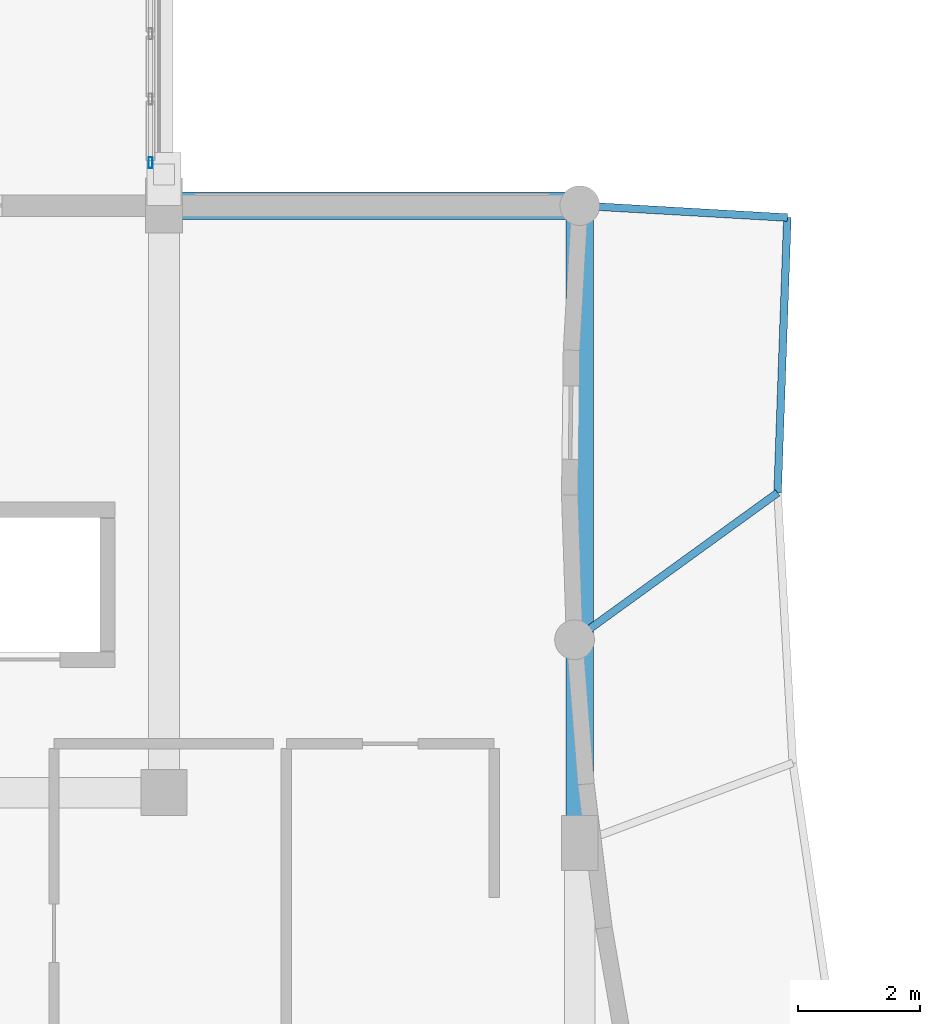
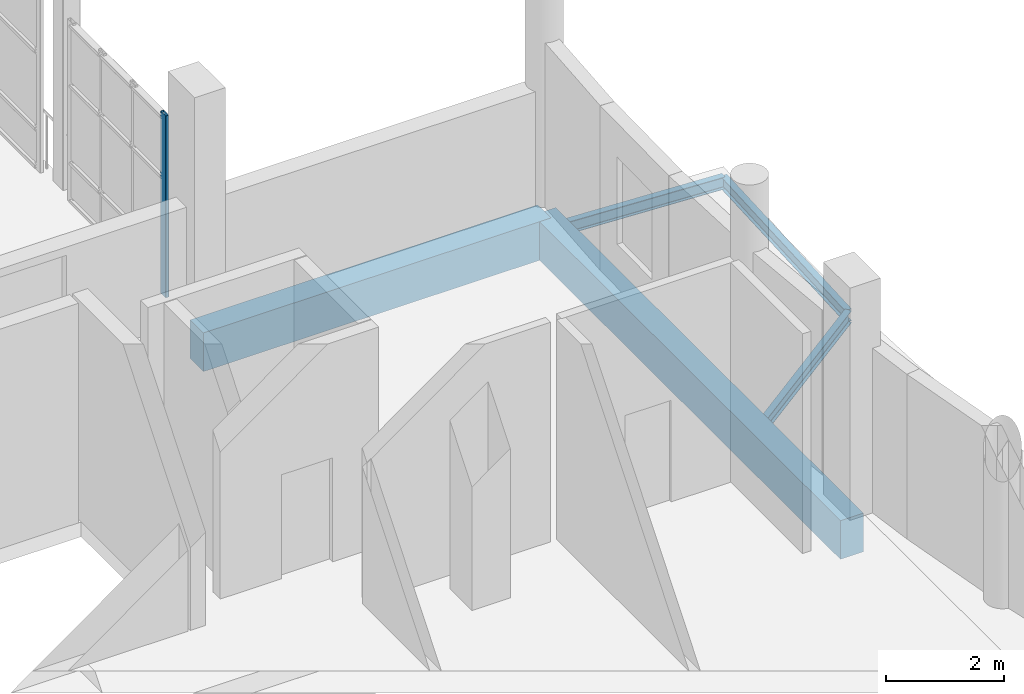
# One storey, part 16 of 106: 5 beams, 1 member, 1 element without a shape of its own.
"""IFC4 building model written with IfcOpenShell, lengths in metres."""

from ifc_helpers import new_model, si_unit, direction, frame, origin, origin_2d, place, context, subcontext, project, spatial, rectangle, hollow_rectangle, i_section, extrude, material, layer, layer_set, material_profile, profile_set, type_object, element, aggregate, save


model = new_model("IFC4")

# Units and contexts
model_context = context("Model", 3, precision=1e-05, world=origin(), true_north=direction((0.0, 1.0)))
body_context = subcontext(model_context, "Body", "Model", "MODEL_VIEW")
ifc_project = project(units=[si_unit("LENGTHUNIT", "METRE"), si_unit("AREAUNIT", "SQUARE_METRE"), si_unit("VOLUMEUNIT", "CUBIC_METRE"), si_unit("PLANEANGLEUNIT", "RADIAN"), si_unit("MASSUNIT", "GRAM", prefix="KILO")], contexts=[model_context])

# Site, building, storey
site_placement = place(None, origin())
site = spatial("IfcSite", under=ifc_project, at=site_placement, CompositionType="ELEMENT")
building_placement = place(site_placement, origin())
building = spatial("IfcBuilding", under=site, at=building_placement, Name="Kisaragi Civic Commons", CompositionType="ELEMENT")
storey_placement = place(building_placement, frame((0.0, 0.0, 4.800048828125)))
storey = spatial("IfcBuildingStorey", under=building, at=storey_placement, Name="L01", CompositionType="ELEMENT", Elevation=4.800048828125)

# Curtain wall, member
ifc_material_1 = material(Name="Thermally broken anodized aluminium and low-E double glazing", Category="aluminium")
ifc_layer = layer(ifc_material_1, 0.179931640625, Name="Thermally broken anodized aluminium and low-E double glazing", Category="aluminium")
ifc_layer_set = layer_set([ifc_layer], Name="Thermally broken anodized aluminium and low-E double glazing")
curtain_wall_type = type_object("IfcCurtainWallType", Name="CW-04", PredefinedType="NOTDEFINED", material=ifc_layer_set)
curtain_wall_placement = place(storey_placement, origin())
curtain_wall = element("IfcCurtainWall", 1, at=curtain_wall_placement, inside=storey, type_object=curtain_wall_type, Name="L01 curtain wall CW-04 CW-BR-129", PredefinedType="NOTDEFINED")
ifc_material_profile_1 = material_profile(ifc_material_1, hollow_rectangle(XDim=0.06494140625, YDim=0.179931640625, WallThickness=0.00439453125, InnerFilletRadius=0.00439453125, OuterFilletRadius=0.009033203125, at=origin_2d()), Name="CWM-65x180x4.5", Category="aluminium")
ifc_profile_set_1 = profile_set([ifc_material_profile_1], Name="Thermally broken anodized aluminium and low-E double glazing")
member_type = type_object("IfcMemberType", Name="CWM-02", PredefinedType="MULLION", material=ifc_profile_set_1)
member_placement = place(storey_placement, frame((20.179931640625, 63.1025390625, 0.0), z_axis=(0.0, 0.0, 1.0), x_axis=(-1.0, 0.0, 0.0)))
member = element("IfcMember", 2, at=member_placement, type_object=member_type, Name="CW-04 mullion 1", PredefinedType="MULLION", context=body_context, shape_type="SweptSolid", body=[
    extrude(hollow_rectangle(XDim=0.06494140625, YDim=0.179931640625, WallThickness=0.00439453125, InnerFilletRadius=0.00439453125, OuterFilletRadius=0.009033203125, at=origin_2d()), origin(), (0.0, 0.0, 1.0), 3.760009765625),
])
aggregate(curtain_wall, [member])

# Beams
ifc_material_2 = material(Name="Steel SN400 (SN400B)", Category="steel")
ifc_material_profile_2 = material_profile(ifc_material_2, i_section(OverallWidth=0.125, OverallDepth=0.25, WebThickness=0.006103515625, FlangeThickness=0.009033203125, FilletRadius=0.008056640625, at=origin_2d()), Name="H-250x125x6x9", Category="steel")
ifc_profile_set_2 = profile_set([ifc_material_profile_2], Name="Steel SN400 (SN400B)")
beam_type_1 = type_object("IfcBeamType", Name="J-05", PredefinedType="JOIST", material=ifc_profile_set_2)
beam_1_placement = place(storey_placement, frame((30.594482421875, 62.204345703125, -0.75), z_axis=(-0.035455614562, -0.999371252036, 0.0), x_axis=(0.999371252036, -0.035455614562, 0.0)))
element("IfcBeam", 3, at=beam_1_placement, inside=storey, type_object=beam_type_1, Name="VER-V1 L01 edge beam 24", PredefinedType="JOIST", context=body_context, shape_type="SweptSolid", body=[
    extrude(i_section(OverallWidth=0.125, OverallDepth=0.25, WebThickness=0.006103515625, FlangeThickness=0.009033203125, FilletRadius=0.008056640625, at=origin_2d()), origin(), (0.0, 0.0, 1.0), 4.50341796875),
])
beam_2_placement = place(storey_placement, frame((30.594482421875, 62.204345703125, -0.75), z_axis=(-0.99834470217, 0.057513960475, 0.0), x_axis=(-0.057513960475, -0.99834470217, 0.0)))
element("IfcBeam", 4, at=beam_2_placement, inside=storey, type_object=beam_type_1, Name="VER-V1 L01 radial tie 35", PredefinedType="JOIST", context=body_context, shape_type="SweptSolid", body=[
    extrude(i_section(OverallWidth=0.125, OverallDepth=0.25, WebThickness=0.006103515625, FlangeThickness=0.009033203125, FilletRadius=0.008056640625, at=origin_2d()), origin(), (0.0, 0.0, 1.0), 3.400146484375),
])
beam_3_placement = place(storey_placement, frame((30.434814453125, 57.703857421875, -0.75), z_axis=(-0.810034798604, -0.586381808254, 0.0), x_axis=(0.586381808254, -0.810034798604, 0.0)))
element("IfcBeam", 5, at=beam_3_placement, inside=storey, type_object=beam_type_1, Name="VER-V1 L01 radial tie 36", PredefinedType="JOIST", context=body_context, shape_type="SweptSolid", body=[
    extrude(i_section(OverallWidth=0.125, OverallDepth=0.25, WebThickness=0.006103515625, FlangeThickness=0.009033203125, FilletRadius=0.008056640625, at=origin_2d()), origin(), (0.0, 0.0, 1.0), 4.098876953125),
])
ifc_material_3 = material(Name="Concrete Fc30", Category="concrete")
ifc_material_profile_3 = material_profile(ifc_material_3, rectangle(XDim=0.449951171875, YDim=0.800048828125, at=origin_2d()), Name="RC-450x800", Category="concrete")
ifc_profile_set_3 = profile_set([ifc_material_profile_3], Name="Concrete Fc30")
beam_type_2 = type_object("IfcBeamType", Name="SPB-01", PredefinedType="SPANDREL", material=ifc_profile_set_3)
beam_4_placement = place(storey_placement, frame((20.39990234375, 62.39990234375, -0.705078125), z_axis=(1.0, 0.0, 0.0), x_axis=(0.0, 1.0, 0.0)))
element("IfcBeam", 6, at=beam_4_placement, inside=storey, type_object=beam_type_2, Name="L01 girder SPB-01 141", PredefinedType="SPANDREL", context=body_context, shape_type="SweptSolid", body=[
    extrude(rectangle(XDim=0.449951171875, YDim=0.800048828125, at=origin_2d()), origin(), (0.0, 0.0, 1.0), 6.800048828125),
])
beam_5_placement = place(storey_placement, frame((27.199951171875, 51.97900390625, -0.705078125), z_axis=(0.0, 1.0, 0.0), x_axis=(-1.0, 0.0, 0.0)))
element("IfcBeam", 7, at=beam_5_placement, inside=storey, type_object=beam_type_2, Name="L01 girder SPB-01 155", PredefinedType="SPANDREL", context=body_context, shape_type="SweptSolid", body=[
    extrude(rectangle(XDim=0.449951171875, YDim=0.800048828125, at=origin_2d()), origin(), (0.0, 0.0, 1.0), 10.4208984375),
])

save(model, "model.ifc")
